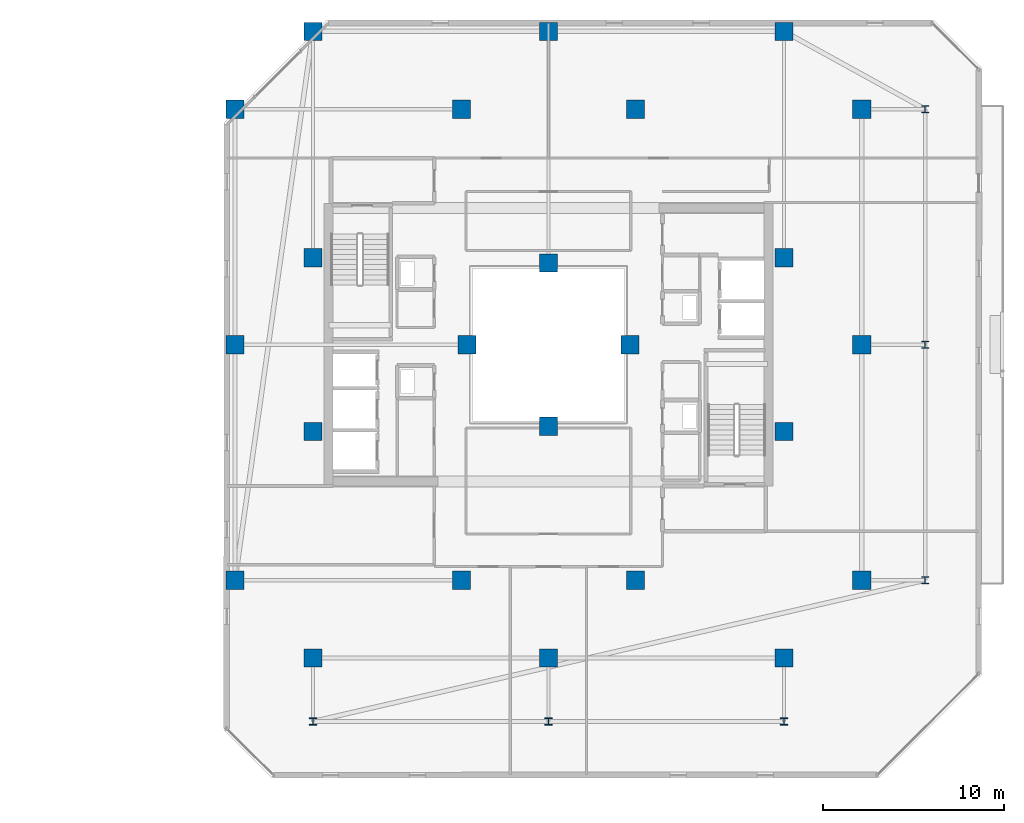
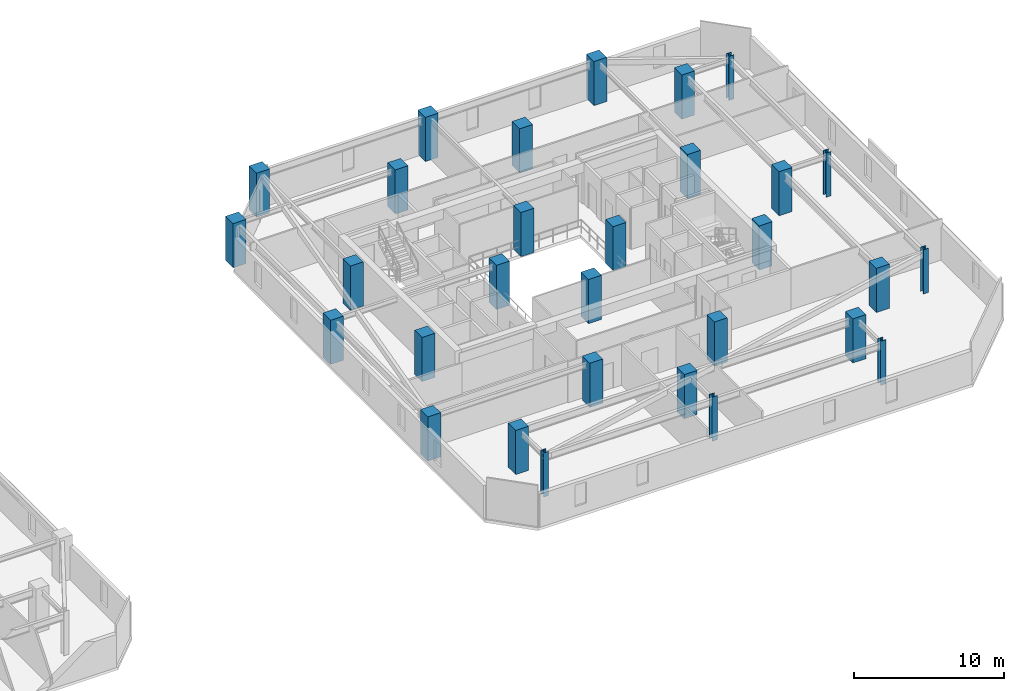
# One storey, part 2 of 31: 30 columns.
"""IFC4 building model written with IfcOpenShell, lengths in metres."""

import ifcopenshell
import ifcopenshell.guid

model = None  # the IFC model being written
_history = None  # IfcOwnerHistory: only IFC2X3 demands one
_inside = {}  # id of a spatial element -> (the spatial element, [elements in it])
_under = {}  # id of a project, library or spatial element -> (it, [spatial elements below it])
_declared = {}  # id of a project -> (the project, [libraries it declares])
_typed = {}  # id of a type object -> (the type object, [elements of that type])
_made_of = {}  # id of a material, layer set ... -> (it, [elements and type objects made of it])


def new_model(schema):
    """Start an empty IFC model of exactly this schema.

    Asked for "IFC4X3", IfcOpenShell would pick the latest addendum, in which some entities
    have other attributes; the version numbers below select the first issue.
    IFC2X3 requires an IfcOwnerHistory on every rooted entity: one is made here for all.
    """
    global model, _history
    if schema == "IFC4X3":
        model = ifcopenshell.file(schema_version=(4, 3, 0, 0))
    else:
        model = ifcopenshell.file(schema=schema)
    _inside.clear()
    _under.clear()
    _declared.clear()
    _typed.clear()
    _made_of.clear()
    _history = None
    if model.schema == "IFC2X3":
        org = make("IfcOrganization", Name="unknown")
        user = make(
            "IfcPersonAndOrganization",
            ThePerson=make("IfcPerson", FamilyName="unknown"),
            TheOrganization=org,
        )
        app = make(
            "IfcApplication",
            ApplicationDeveloper=org,
            Version="unknown",
            ApplicationFullName="unknown",
            ApplicationIdentifier="unknown",
        )
        _history = make(
            "IfcOwnerHistory",
            OwningUser=user,
            OwningApplication=app,
            ChangeAction="ADDED",
            CreationDate=0,
        )
    return model


def make(cls, **values):
    """One entity of the class cls with the attributes given. An attribute that is None is left unset."""
    return model.create_entity(
        cls, **{name: value for name, value in values.items() if value is not None}
    )


def rooted(cls, **values):
    """An entity with a GlobalId (a new one), such as an element, a storey or a relation."""
    return make(cls, GlobalId=ifcopenshell.guid.new(), OwnerHistory=_history, **values)


def si_unit(unit_type, name, prefix=None):
    """IfcSIUnit, for example si_unit("LENGTHUNIT", "METRE", prefix="MILLI")."""
    return make("IfcSIUnit", UnitType=unit_type, Prefix=prefix, Name=name)


def assignment(units):
    """IfcUnitAssignment: the units of a project."""
    return None if units is None else make("IfcUnitAssignment", Units=units)


def point(xyz):
    """IfcCartesianPoint."""
    return None if xyz is None else make("IfcCartesianPoint", Coordinates=xyz)


def direction(xyz):
    """IfcDirection."""
    return None if xyz is None else make("IfcDirection", DirectionRatios=xyz)


def frame(location, z_axis=None, x_axis=None):
    """IfcAxis2Placement3D, a coordinate frame: its origin and axes. An axis left out is left unset."""
    return make(
        "IfcAxis2Placement3D",
        Location=point(location),
        Axis=direction(z_axis),
        RefDirection=direction(x_axis),
    )


def frame_2d(location, x_axis=None):
    """IfcAxis2Placement2D, a coordinate frame in the plane: its origin and x axis."""
    return make(
        "IfcAxis2Placement2D", Location=point(location), RefDirection=direction(x_axis)
    )


def origin():
    """The frame at (0, 0, 0) with its axes left unset."""
    return frame((0.0, 0.0, 0.0))


def origin_2d():
    """The frame at (0, 0) in the plane with its x axis left unset."""
    return frame_2d((0.0, 0.0))


def place(relative_to, where):
    """IfcLocalPlacement: puts the frame where relative to a parent placement (None: the world)."""
    return make(
        "IfcLocalPlacement", PlacementRelTo=relative_to, RelativePlacement=where
    )


def context(
    kind, dimensions, precision=None, world=None, true_north=None, identifier=None
):
    """IfcGeometricRepresentationContext, for example the 3D "Model" context."""
    return make(
        "IfcGeometricRepresentationContext",
        ContextIdentifier=identifier,
        ContextType=kind,
        CoordinateSpaceDimension=dimensions,
        Precision=precision,
        WorldCoordinateSystem=world,
        TrueNorth=true_north,
    )


def subcontext(parent, identifier, kind, view, scale=None):
    """IfcGeometricRepresentationSubContext, for example "Body" below "Model"."""
    return make(
        "IfcGeometricRepresentationSubContext",
        ContextIdentifier=identifier,
        ContextType=kind,
        ParentContext=parent,
        TargetScale=scale,
        TargetView=view,
    )


def project(units=None, contexts=None):
    """IfcProject with its units and contexts."""
    return rooted(
        "IfcProject",
        Name="project",
        RepresentationContexts=contexts,
        UnitsInContext=assignment(units),
    )


def spatial(cls, under=None, at=None, **own):
    """A site, building, storey or space (cls), placed at a placement, below another one or the project."""
    s = rooted(cls, ObjectPlacement=at, **own)
    if under is not None:
        _under.setdefault(under.id(), (under, []))[1].append(s)
    return s


def profile(cls, at=None, kind="AREA", **sizes):
    """A parametric profile (cls). Its sizes go by their IFC names, for example OverallWidth=200.0."""
    return make(cls, ProfileType=kind, Position=at, **sizes)


def rectangle(**sizes):
    """IfcRectangleProfileDef."""
    return profile("IfcRectangleProfileDef", **sizes)


def i_section(**sizes):
    """IfcIShapeProfileDef."""
    return profile("IfcIShapeProfileDef", **sizes)


def extrude(swept, where, along, depth):
    """IfcExtrudedAreaSolid: the profile swept, set in the frame where, extruded along a direction by depth."""
    return make(
        "IfcExtrudedAreaSolid",
        SweptArea=swept,
        Position=where,
        ExtrudedDirection=direction(along),
        Depth=depth,
    )


def shape(context_of_items, identifier, shape_type, items):
    """IfcShapeRepresentation: the items that make up one representation, for example the "Body"."""
    return make(
        "IfcShapeRepresentation",
        ContextOfItems=context_of_items,
        RepresentationIdentifier=identifier,
        RepresentationType=shape_type,
        Items=items,
    )


def material(Name=None, Category=None):
    """IfcMaterial."""
    return make("IfcMaterial", Name=Name, Category=Category)


def material_profile(
    of_material, cross_section, Name=None, Category=None, Priority=None
):
    """IfcMaterialProfile: a cross section and its material."""
    return make(
        "IfcMaterialProfile",
        Name=Name,
        Material=of_material,
        Profile=cross_section,
        Priority=Priority,
        Category=Category,
    )


def profile_set(profiles, Name=None, composite=None):
    """IfcMaterialProfileSet."""
    return make(
        "IfcMaterialProfileSet",
        Name=Name,
        MaterialProfiles=profiles,
        CompositeProfile=composite,
    )


def made_of(thing, what):
    """Note that an element or type object is made of a material, layer set ...; save() writes the relation."""
    if what is not None:
        _made_of.setdefault(what.id(), (what, []))[1].append(thing)
    return thing


def type_object(cls, material=None, **own):
    """A type object (cls), such as IfcWallType, which elements share."""
    return made_of(rooted(cls, **own), material)


def element(
    cls,
    number,
    at=None,
    inside=None,
    cuts=None,
    type_object=None,
    material=None,
    context=None,
    identifier="Body",
    shape_type=None,
    held_by="IfcProductDefinitionShape",
    body=None,
    shapes=None,
    **own,
):
    """One element of the class cls, such as IfcWall. Its Tag is "e" and its number.

    at: its placement. inside: the storey or other place that contains it. cuts: it is an
    opening in that element (IfcRelVoidsElement). A single representation is given by context,
    identifier, shape_type and body (its items); several are given by shapes. held_by: the class
    of the entity that holds the representations. save() writes the other relations.
    """
    e = rooted(cls, Tag="e%d" % number, ObjectPlacement=at, **own)
    if body is not None:
        shapes = [shape(context, identifier, shape_type, body)]
    if shapes is not None:
        e.Representation = make(held_by, Representations=shapes)
    if inside is not None:
        _inside.setdefault(inside.id(), (inside, []))[1].append(e)
    if cuts is not None:
        rooted(
            "IfcRelVoidsElement", RelatingBuildingElement=cuts, RelatedOpeningElement=e
        )
    if type_object is not None:
        _typed.setdefault(type_object.id(), (type_object, []))[1].append(e)
    return made_of(e, material)


def aggregate(whole, parts):
    """IfcRelAggregates: a whole, such as a stair, and the parts it consists of."""
    return rooted("IfcRelAggregates", RelatingObject=whole, RelatedObjects=parts)


def save(model, path):
    """Write the relations noted so far, then the file.

    IfcRelAggregates (storeys below a building ...), IfcRelContainedInSpatialStructure (elements
    in a storey), IfcRelDefinesByType, IfcRelAssociatesMaterial and IfcRelDeclares: one each for
    every whole, place, type object, material and project.
    """
    for whole, parts in _under.values():
        aggregate(whole, parts)
    for where, things in _inside.values():
        rooted(
            "IfcRelContainedInSpatialStructure",
            RelatedElements=things,
            RelatingStructure=where,
        )
    for kind, things in _typed.values():
        rooted("IfcRelDefinesByType", RelatedObjects=things, RelatingType=kind)
    for what, things in _made_of.values():
        rooted("IfcRelAssociatesMaterial", RelatedObjects=things, RelatingMaterial=what)
    for by, libraries in _declared.values():
        rooted("IfcRelDeclares", RelatingContext=by, RelatedDefinitions=libraries)
    model.write(path)


model = new_model("IFC4")

# Units and contexts
model_context = context("Model", 3, precision=1e-05, world=origin(), true_north=direction((0.0, 1.0)))
body_context = subcontext(model_context, "Body", "Model", "MODEL_VIEW")
ifc_project = project(units=[si_unit("LENGTHUNIT", "METRE"), si_unit("AREAUNIT", "SQUARE_METRE"), si_unit("VOLUMEUNIT", "CUBIC_METRE"), si_unit("PLANEANGLEUNIT", "RADIAN"), si_unit("MASSUNIT", "GRAM", prefix="KILO")], contexts=[model_context])

# Site, building, storey
site_placement = place(None, origin())
site = spatial("IfcSite", under=ifc_project, at=site_placement, CompositionType="ELEMENT")
building_placement = place(site_placement, origin())
building = spatial("IfcBuilding", under=site, at=building_placement, Name="Thornwick Lancets Civic Towers", CompositionType="ELEMENT")
storey_placement = place(building_placement, frame((0.0, 0.0, 236.699951171875)))
storey = spatial("IfcBuildingStorey", under=building, at=storey_placement, Name="L63", CompositionType="ELEMENT", Elevation=236.699951171875)

# Columns
ifc_material_1 = material(Name="Concrete C50/60", Category="concrete")
ifc_material_profile_1 = material_profile(ifc_material_1, rectangle(XDim=1.0, YDim=1.0, at=origin_2d()), Name="RC 1000x1000")
ifc_profile_set_1 = profile_set([ifc_material_profile_1], Name="Concrete C50/60")
column_type_1 = type_object("IfcColumnType", Name="COL_RC_1000", PredefinedType="COLUMN", material=ifc_profile_set_1)
for number, where, z_axis, x_axis, name in (
    (1, (105.800048828125, 14.0, 0.0), (0.0, 0.0, 1.0), (1.0, 0.0, 0.0), "L63 Spine Mega-Column B01"),
    (2, (105.800048828125, 27.0, 0.0), (0.0, 0.0, 1.0), (1.0, 0.0, 0.0), "L63 Spine Mega-Column B02"),
    (3, (105.800048828125, 40.0, 0.0), (0.0, 0.0, 1.0), (1.0, 0.0, 0.0), "L63 Spine Mega-Column B03"),
    (4, (101.5, 44.300048828125, 0.0), (0.0, 0.0, 1.0), (1.0, 0.0, 0.0), "L63 Spine Mega-Column B04"),
    (5, (88.5, 44.300048828125, 0.0), (0.0, 0.0, 1.0), (1.0, 0.0, 0.0), "L63 Spine Mega-Column B05"),
    (6, (75.5, 44.300048828125, 0.0), (0.0, 0.0, 1.0), (1.0, 0.0, 0.0), "L63 Spine Mega-Column B06"),
    (7, (71.199951171875, 14.0, 0.0), (0.0, 0.0, 1.0), (1.0, 0.0, 0.0), "L63 Spine Mega-Column B07"),
    (8, (71.199951171875, 27.0, 0.0), (0.0, 0.0, 1.0), (1.0, 0.0, 0.0), "L63 Spine Mega-Column B08"),
    (9, (71.199951171875, 40.0, 0.0), (0.0, 0.0, 1.0), (1.0, 0.0, 0.0), "L63 Spine Mega-Column B09"),
    (10, (101.5, 9.699951171875, 0.0), (0.0, 0.0, 1.0), (1.0, 0.0, 0.0), "L63 Spine Mega-Column B10"),
    (11, (88.5, 9.699951171875, 0.0), (0.0, 0.0, 1.0), (1.0, 0.0, 0.0), "L63 Spine Mega-Column B11"),
    (12, (75.5, 9.699951171875, 0.0), (0.0, 0.0, 1.0), (1.0, 0.0, 0.0), "L63 Spine Mega-Column B12"),
    (13, (93.300048828125, 14.0, 0.0), (0.0, 0.0, 1.0), (1.0, 0.0, 0.0), "L63 Spine Mega-Column B13"),
    (14, (93.300048828125, 40.0, 0.0), (0.0, 0.0, 1.0), (1.0, 0.0, 0.0), "L63 Spine Mega-Column B14"),
    (15, (83.699951171875, 14.0, 0.0), (0.0, 0.0, 1.0), (1.0, 0.0, 0.0), "L63 Spine Mega-Column B15"),
    (16, (83.699951171875, 40.0, 0.0), (0.0, 0.0, 1.0), (1.0, 0.0, 0.0), "L63 Spine Mega-Column B16"),
    (17, (101.5, 22.199951171875, 0.0), (0.0, 0.0, 1.0), (1.0, 0.0, 0.0), "L63 Spine Mega-Column B17"),
    (18, (101.5, 31.800048828125, 0.0), (0.0, 0.0, 1.0), (1.0, 0.0, 0.0), "L63 Spine Mega-Column B18"),
    (19, (75.5, 22.199951171875, 0.0), (0.0, 0.0, 1.0), (1.0, 0.0, 0.0), "L63 Spine Mega-Column B19"),
    (20, (75.5, 31.800048828125, 0.0), (0.0, 0.0, 1.0), (1.0, 0.0, 0.0), "L63 Spine Mega-Column B20"),
    (21, (93.0, 27.0, 0.0), (0.0, 0.0, 1.0), (1.0, 0.0, 0.0), "L63 Spine Mega-Column B21"),
    (22, (84.0, 27.0, 0.0), (0.0, 0.0, 1.0), (1.0, 0.0, 0.0), "L63 Spine Mega-Column B22"),
    (23, (88.5, 22.5, 0.0), (0.0, 0.0, 1.0), (1.0, 0.0, 0.0), "L63 Spine Mega-Column B23"),
    (24, (88.5, 31.5, 0.0), (0.0, 0.0, 1.0), (1.0, 0.0, 0.0), "L63 Spine Mega-Column B24"),
):
    element("IfcColumn", number, at=place(storey_placement, frame(where, z_axis=z_axis, x_axis=x_axis)), inside=storey, type_object=column_type_1, Name=name, PredefinedType="COLUMN", context=body_context, shape_type="SweptSolid", body=[
        extrude(rectangle(XDim=1.0, YDim=1.0, at=origin_2d()), origin(), (0.0, 0.0, 1.0), 3.60009765625),
    ])
ifc_material_2 = material(Name="Steel S355JR", Category="steel")
ifc_material_profile_2 = material_profile(ifc_material_2, i_section(OverallWidth=0.39892578125, OverallDepth=0.3935546875, WebThickness=0.022705078125, FlangeThickness=0.03662109375, FilletRadius=0.01513671875, at=origin_2d()), Name="UKC 356x406x287")
ifc_profile_set_2 = profile_set([ifc_material_profile_2], Name="Steel S355JR")
column_type_2 = type_object("IfcColumnType", Name="COL_UKC_287", PredefinedType="COLUMN", material=ifc_profile_set_2)
for number, where, z_axis, x_axis, name in (
    (25, (109.300048828125, 14.0, 0.0), (0.0, 0.0, 1.0), (1.0, 0.0, 0.0), "L63 Block Perimeter Column B01"),
    (26, (109.300048828125, 27.0, 0.0), (0.0, 0.0, 1.0), (1.0, 0.0, 0.0), "L63 Block Perimeter Column B02"),
    (27, (109.300048828125, 40.0, 0.0), (0.0, 0.0, 1.0), (1.0, 0.0, 0.0), "L63 Block Perimeter Column B03"),
    (28, (101.5, 6.199951171875, 0.0), (0.0, 0.0, 1.0), (1.0, 0.0, 0.0), "L63 Block Perimeter Column B10"),
    (29, (88.5, 6.199951171875, 0.0), (0.0, 0.0, 1.0), (1.0, 0.0, 0.0), "L63 Block Perimeter Column B11"),
    (30, (75.5, 6.199951171875, 0.0), (0.0, 0.0, 1.0), (1.0, 0.0, 0.0), "L63 Block Perimeter Column B12"),
):
    element("IfcColumn", number, at=place(storey_placement, frame(where, z_axis=z_axis, x_axis=x_axis)), inside=storey, type_object=column_type_2, Name=name, PredefinedType="COLUMN", context=body_context, shape_type="SweptSolid", body=[
        extrude(i_section(OverallWidth=0.39892578125, OverallDepth=0.3935546875, WebThickness=0.022705078125, FlangeThickness=0.03662109375, FilletRadius=0.01513671875, at=origin_2d()), origin(), (0.0, 0.0, 1.0), 3.60009765625),
    ])

save(model, "model.ifc")
